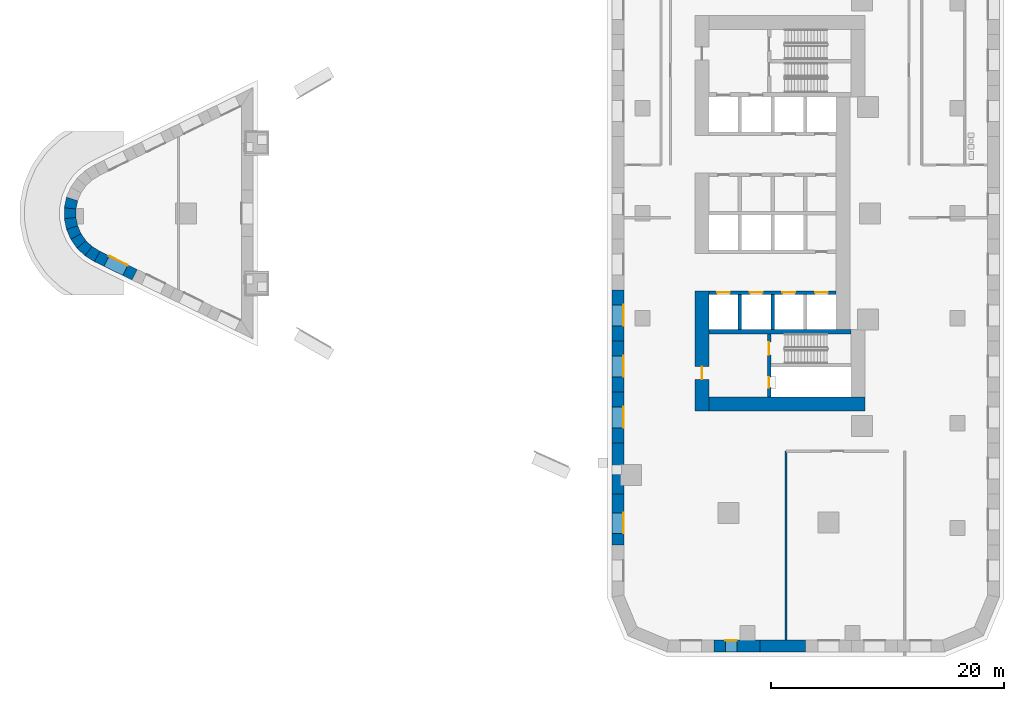
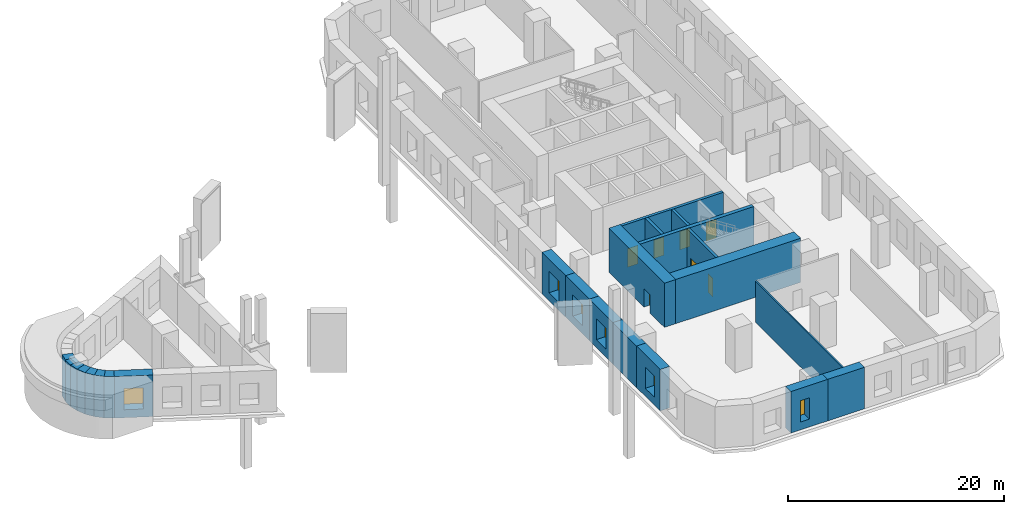
# One storey, part 2 of 11: 23 walls, 7 doors, 6 windows, 13 openings.
"""IFC4 building model written with IfcOpenShell, lengths in metres."""

from ifc_helpers import new_model, si_unit, direction, frame, frame_2d, origin, place, context, subcontext, project, spatial, polyline, rectangle, outline, extrude, material, layer, layer_set, type_object, element, fill, save


model = new_model("IFC4")

# Units and contexts
model_context = context("Model", 3, precision=1e-05, world=origin(), true_north=direction((0.0, 1.0)))
body_context = subcontext(model_context, "Body", "Model", "MODEL_VIEW")
ifc_project = project(units=[si_unit("LENGTHUNIT", "METRE"), si_unit("AREAUNIT", "SQUARE_METRE"), si_unit("VOLUMEUNIT", "CUBIC_METRE"), si_unit("PLANEANGLEUNIT", "RADIAN"), si_unit("MASSUNIT", "GRAM", prefix="KILO")], contexts=[model_context])

# Site, building, storey
site_placement = place(None, origin())
site = spatial("IfcSite", under=ifc_project, at=site_placement, CompositionType="ELEMENT")
building_placement = place(site_placement, origin())
building = spatial("IfcBuilding", under=site, at=building_placement, Name="Ostrand Prow Hotel Tower", CompositionType="ELEMENT")
storey_placement = place(building_placement, frame((0.0, 0.0, 19.0)))
storey = spatial("IfcBuildingStorey", under=building, at=storey_placement, Name="L03", CompositionType="ELEMENT", Elevation=19.0)

# Wall, opening, door
ifc_material_1 = material(Name="Concrete C80/95", Category="concrete")
ifc_layer_1 = layer(ifc_material_1, 1.199951171875)
ifc_layer_set_1 = layer_set([ifc_layer_1], Name="Concrete C80/95")
wall_type_1 = type_object("IfcWallType", Name="Core wall 1200 C80/95", PredefinedType="SHEAR", material=ifc_layer_set_1)
wall_1_placement = place(storey_placement, frame((50.10009765625, -16.949951171875, 0.0), z_axis=(0.0, 0.0, 1.0), x_axis=(0.0, 1.0, 0.0)))
wall_1 = element("IfcWall", 1, at=wall_1_placement, inside=storey, type_object=wall_type_1, Name="Core wall CW-W-S", PredefinedType="SHEAR", context=body_context, shape_type="SweptSolid", body=[
    extrude(rectangle(XDim=10.300048828125, YDim=1.199951171875, at=frame_2d((5.14990234375, 0.0))), origin(), (0.0, 0.0, 1.0), 5.0),
])
opening_1_placement = place(wall_1_placement, frame((2.699951171875, 0.0, 0.0)))
opening_1 = element("IfcOpeningElement", 2, at=opening_1_placement, cuts=wall_1, Name="Opening FD1", PredefinedType="OPENING", context=body_context, shape_type="SweptSolid", body=[
    extrude(rectangle(XDim=1.10009765625, YDim=2.10009765625, at=frame_2d((0.550048828125, 1.050048828125))), frame((0.0, 0.60986328125, 0.0), z_axis=(0.0, -1.0, 0.0), x_axis=(1.0, 0.0, 0.0)), (0.0, 0.0, 1.0), 1.219970703125),
])
ifc_material_2 = material(Name="Steel fire door", Category="steel")
door_type_1 = type_object("IfcDoorType", Name="Fire door 1100 EI120", OperationType="SINGLE_SWING_RIGHT", PredefinedType="DOOR", material=ifc_material_2)
door_1_placement = place(opening_1_placement, origin())
door_1 = element("IfcDoor", 3, at=door_1_placement, inside=storey, type_object=door_type_1, Name="FIRE DOOR", OperationType="SINGLE_SWING_RIGHT", OverallHeight=2.10009765625, OverallWidth=1.10009765625, PredefinedType="DOOR", context=body_context, shape_type="SweptSolid", body=[
    extrude(rectangle(XDim=1.10009765625, YDim=2.10009765625, at=frame_2d((0.550048828125, 1.050048828125))), frame((0.0, 0.02490234375, 0.0), z_axis=(0.0, -1.0, 0.0), x_axis=(1.0, 0.0, 0.0)), (0.0, 0.0, 1.0), 0.050048828125),
])
fill(opening_1, door_1)

# Wall
wall_2_placement = place(storey_placement, frame((50.699951171875, -16.35009765625, 0.0), z_axis=(0.0, 0.0, 1.0), x_axis=(1.0, 0.0, 0.0)))
element("IfcWall", 4, at=wall_2_placement, inside=storey, type_object=wall_type_1, Name="Core wall CW-S", PredefinedType="SHEAR", context=body_context, shape_type="SweptSolid", body=[
    extrude(rectangle(XDim=13.380126953125, YDim=1.199951171875, at=frame_2d((6.68994140625, 0.0))), origin(), (0.0, 0.0, 1.0), 5.0),
])

# Wall, openings, doors
ifc_material_3 = material(Name="Concrete C80/95", Category="concrete")
ifc_layer_2 = layer(ifc_material_3, 0.300048828125)
ifc_layer_set_2 = layer_set([ifc_layer_2], Name="Concrete C80/95")
wall_type_2 = type_object("IfcWallType", Name="Core wall 300 C80/95", PredefinedType="SHEAR", material=ifc_layer_set_2)
wall_3_placement = place(storey_placement, frame((50.699951171875, -6.800048828125, 0.0), z_axis=(0.0, 0.0, 1.0), x_axis=(1.0, 0.0, 0.0)))
wall_3 = element("IfcWall", 5, at=wall_3_placement, inside=storey, type_object=wall_type_2, Name="Core wall PW-L2-S", PredefinedType="SHEAR", context=body_context, shape_type="SweptSolid", body=[
    extrude(rectangle(XDim=10.900146484375, YDim=0.300048828125, at=frame_2d((5.4501953125, 0.0))), origin(), (0.0, 0.0, 1.0), 5.0),
])
opening_2_placement = place(wall_3_placement, frame((0.699951171875, 0.0, 0.0)))
opening_2 = element("IfcOpeningElement", 6, at=opening_2_placement, cuts=wall_3, Name="Opening LD", PredefinedType="OPENING", context=body_context, shape_type="SweptSolid", body=[
    extrude(rectangle(XDim=1.10009765625, YDim=2.10009765625, at=frame_2d((0.550048828125, 1.050048828125))), frame((0.0, 0.159912109375, 0.0), z_axis=(0.0, -1.0, 0.0), x_axis=(1.0, 0.0, 0.0)), (0.0, 0.0, 1.0), 0.320068359375),
])
opening_3_placement = place(wall_3_placement, frame((3.5, 0.0, 0.0)))
opening_3 = element("IfcOpeningElement", 7, at=opening_3_placement, cuts=wall_3, Name="Opening LD", PredefinedType="OPENING", context=body_context, shape_type="SweptSolid", body=[
    extrude(rectangle(XDim=1.10009765625, YDim=2.10009765625, at=frame_2d((0.550048828125, 1.050048828125))), frame((0.0, 0.159912109375, 0.0), z_axis=(0.0, -1.0, 0.0), x_axis=(1.0, 0.0, 0.0)), (0.0, 0.0, 1.0), 0.320068359375),
])
opening_4_placement = place(wall_3_placement, frame((6.300048828125, 0.0, 0.0)))
opening_4 = element("IfcOpeningElement", 8, at=opening_4_placement, cuts=wall_3, Name="Opening LD", PredefinedType="OPENING", context=body_context, shape_type="SweptSolid", body=[
    extrude(rectangle(XDim=1.10009765625, YDim=2.10009765625, at=frame_2d((0.550048828125, 1.050048828125))), frame((0.0, 0.159912109375, 0.0), z_axis=(0.0, -1.0, 0.0), x_axis=(1.0, 0.0, 0.0)), (0.0, 0.0, 1.0), 0.320068359375),
])
opening_5_placement = place(wall_3_placement, frame((9.10009765625, 0.0, 0.0)))
opening_5 = element("IfcOpeningElement", 9, at=opening_5_placement, cuts=wall_3, Name="Opening LD", PredefinedType="OPENING", context=body_context, shape_type="SweptSolid", body=[
    extrude(rectangle(XDim=1.10009765625, YDim=2.10009765625, at=frame_2d((0.550048828125, 1.050048828125))), frame((0.0, 0.159912109375, 0.0), z_axis=(0.0, -1.0, 0.0), x_axis=(1.0, 0.0, 0.0)), (0.0, 0.0, 1.0), 0.320068359375),
])
ifc_material_4 = material(Name="Stainless steel door", Category="steel")
door_type_2 = type_object("IfcDoorType", Name="Lift landing door 1100", OperationType="DOUBLE_DOOR_SLIDING", PredefinedType="DOOR", material=ifc_material_4)
door_2_placement = place(opening_2_placement, origin())
door_2 = element("IfcDoor", 10, at=door_2_placement, inside=storey, type_object=door_type_2, Name="LIFT LANDING DOOR", OperationType="DOUBLE_DOOR_SLIDING", OverallHeight=2.10009765625, OverallWidth=1.10009765625, PredefinedType="DOOR", context=body_context, shape_type="SweptSolid", body=[
    extrude(rectangle(XDim=1.10009765625, YDim=2.10009765625, at=frame_2d((0.550048828125, 1.050048828125))), frame((0.0, 0.02490234375, 0.0), z_axis=(0.0, -1.0, 0.0), x_axis=(1.0, 0.0, 0.0)), (0.0, 0.0, 1.0), 0.050048828125),
])
fill(opening_2, door_2)
door_3_placement = place(opening_3_placement, origin())
door_3 = element("IfcDoor", 11, at=door_3_placement, inside=storey, type_object=door_type_2, Name="LIFT LANDING DOOR", OperationType="DOUBLE_DOOR_SLIDING", OverallHeight=2.10009765625, OverallWidth=1.10009765625, PredefinedType="DOOR", context=body_context, shape_type="SweptSolid", body=[
    extrude(rectangle(XDim=1.10009765625, YDim=2.10009765625, at=frame_2d((0.550048828125, 1.050048828125))), frame((0.0, 0.02490234375, 0.0), z_axis=(0.0, -1.0, 0.0), x_axis=(1.0, 0.0, 0.0)), (0.0, 0.0, 1.0), 0.050048828125),
])
fill(opening_3, door_3)
door_4_placement = place(opening_4_placement, origin())
door_4 = element("IfcDoor", 12, at=door_4_placement, inside=storey, type_object=door_type_2, Name="LIFT LANDING DOOR", OperationType="DOUBLE_DOOR_SLIDING", OverallHeight=2.10009765625, OverallWidth=1.10009765625, PredefinedType="DOOR", context=body_context, shape_type="SweptSolid", body=[
    extrude(rectangle(XDim=1.10009765625, YDim=2.10009765625, at=frame_2d((0.550048828125, 1.050048828125))), frame((0.0, 0.02490234375, 0.0), z_axis=(0.0, -1.0, 0.0), x_axis=(1.0, 0.0, 0.0)), (0.0, 0.0, 1.0), 0.050048828125),
])
fill(opening_4, door_4)
door_5_placement = place(opening_5_placement, origin())
door_5 = element("IfcDoor", 13, at=door_5_placement, inside=storey, type_object=door_type_2, Name="LIFT LANDING DOOR", OperationType="DOUBLE_DOOR_SLIDING", OverallHeight=2.10009765625, OverallWidth=1.10009765625, PredefinedType="DOOR", context=body_context, shape_type="SweptSolid", body=[
    extrude(rectangle(XDim=1.10009765625, YDim=2.10009765625, at=frame_2d((0.550048828125, 1.050048828125))), frame((0.0, 0.02490234375, 0.0), z_axis=(0.0, -1.0, 0.0), x_axis=(1.0, 0.0, 0.0)), (0.0, 0.0, 1.0), 0.050048828125),
])
fill(opening_5, door_5)

# Walls
for number, where, z_axis, x_axis, name in (
    (14, (53.35009765625, -9.949951171875, 0.0), (0.0, 0.0, 1.0), (0.0, 1.0, 0.0), "Core wall PW-R1-SA"),
    (15, (56.14990234375, -9.949951171875, 0.0), (0.0, 0.0, 1.0), (0.0, 1.0, 0.0), "Core wall PW-R2-SA"),
):
    element("IfcWall", number, at=place(storey_placement, frame(where, z_axis=z_axis, x_axis=x_axis)), inside=storey, type_object=wall_type_2, Name=name, PredefinedType="SHEAR", context=body_context, shape_type="SweptSolid", body=[
        extrude(rectangle(XDim=3.0, YDim=0.300048828125, at=frame_2d((1.5, 0.0))), origin(), (0.0, 0.0, 1.0), 5.0),
    ])

# Wall, openings, doors
wall_4_placement = place(storey_placement, frame((55.85009765625, -15.75, 0.0), z_axis=(0.0, 0.0, 1.0), x_axis=(0.0, 1.0, 0.0)))
wall_4 = element("IfcWall", 16, at=wall_4_placement, inside=storey, type_object=wall_type_2, Name="Core wall PW-VS", PredefinedType="SHEAR", context=body_context, shape_type="SweptSolid", body=[
    extrude(rectangle(XDim=5.39990234375, YDim=0.300048828125, at=frame_2d((2.699951171875, 0.0))), origin(), (0.0, 0.0, 1.0), 5.0),
])
opening_6_placement = place(wall_4_placement, frame((3.60009765625, 0.0, 0.0)))
opening_6 = element("IfcOpeningElement", 17, at=opening_6_placement, cuts=wall_4, Name="Opening FD1", PredefinedType="OPENING", context=body_context, shape_type="SweptSolid", body=[
    extrude(rectangle(XDim=1.10009765625, YDim=2.10009765625, at=frame_2d((0.550048828125, 1.050048828125))), frame((0.0, 0.159912109375, 0.0), z_axis=(0.0, -1.0, 0.0), x_axis=(1.0, 0.0, 0.0)), (0.0, 0.0, 1.0), 0.320068359375),
])
opening_7_placement = place(wall_4_placement, frame((0.800048828125, 0.0, 0.0)))
opening_7 = element("IfcOpeningElement", 18, at=opening_7_placement, cuts=wall_4, Name="Opening FD2", PredefinedType="OPENING", context=body_context, shape_type="SweptSolid", body=[
    extrude(rectangle(XDim=0.89990234375, YDim=2.10009765625, at=frame_2d((0.449951171875, 1.050048828125))), frame((0.0, 0.159912109375, 0.0), z_axis=(0.0, -1.0, 0.0), x_axis=(1.0, 0.0, 0.0)), (0.0, 0.0, 1.0), 0.320068359375),
])
door_6_placement = place(opening_6_placement, origin())
door_6 = element("IfcDoor", 19, at=door_6_placement, inside=storey, type_object=door_type_1, Name="FIRE DOOR", OperationType="SINGLE_SWING_RIGHT", OverallHeight=2.10009765625, OverallWidth=1.10009765625, PredefinedType="DOOR", context=body_context, shape_type="SweptSolid", body=[
    extrude(rectangle(XDim=1.10009765625, YDim=2.10009765625, at=frame_2d((0.550048828125, 1.050048828125))), frame((0.0, 0.02490234375, 0.0), z_axis=(0.0, -1.0, 0.0), x_axis=(1.0, 0.0, 0.0)), (0.0, 0.0, 1.0), 0.050048828125),
])
fill(opening_6, door_6)
ifc_material_5 = material(Name="Steel fire door", Category="steel")
door_type_3 = type_object("IfcDoorType", Name="Fire door 900 EI120", OperationType="SINGLE_SWING_LEFT", PredefinedType="DOOR", material=ifc_material_5)
door_7_placement = place(opening_7_placement, origin())
door_7 = element("IfcDoor", 20, at=door_7_placement, inside=storey, type_object=door_type_3, Name="FIRE DOOR", OperationType="SINGLE_SWING_LEFT", OverallHeight=2.10009765625, OverallWidth=0.89990234375, PredefinedType="DOOR", context=body_context, shape_type="SweptSolid", body=[
    extrude(rectangle(XDim=0.89990234375, YDim=2.10009765625, at=frame_2d((0.449951171875, 1.050048828125))), frame((0.0, 0.02490234375, 0.0), z_axis=(0.0, -1.0, 0.0), x_axis=(1.0, 0.0, 0.0)), (0.0, 0.0, 1.0), 0.050048828125),
])
fill(opening_7, door_7)

# Walls
ifc_material_6 = material(Name="Concrete C80/95", Category="concrete")
ifc_layer_3 = layer(ifc_material_6, 0.39990234375)
ifc_layer_set_3 = layer_set([ifc_layer_3], Name="Concrete C80/95")
wall_type_3 = type_object("IfcWallType", Name="Core wall 400 C80/95", PredefinedType="SHEAR", material=ifc_layer_set_3)
wall_5_placement = place(storey_placement, frame((50.699951171875, -10.14990234375, 0.0), z_axis=(0.0, 0.0, 1.0), x_axis=(1.0, 0.0, 0.0)))
element("IfcWall", 21, at=wall_5_placement, inside=storey, type_object=wall_type_3, Name="Core wall PW-BS", PredefinedType="SHEAR", context=body_context, shape_type="SweptSolid", body=[
    extrude(rectangle(XDim=12.179931640625, YDim=0.39990234375, at=frame_2d((6.08984375, 0.0))), origin(), (0.0, 0.0, 1.0), 5.0),
])
ifc_material_7 = material(Name="Plasterboard partition")
ifc_layer_4 = layer(ifc_material_7, 0.14990234375)
ifc_layer_set_4 = layer_set([ifc_layer_4], Name="Plasterboard partition")
wall_type_4 = type_object("IfcWallType", Name="Partition 150 room partition", PredefinedType="PARTITIONING", material=ifc_layer_set_4)
wall_6_placement = place(storey_placement, frame((57.300048828125, -36.570068359375, 0.0), z_axis=(0.0, 0.0, 1.0), x_axis=(0.0, 1.0, 0.0)))
element("IfcWall", 22, at=wall_6_placement, inside=storey, type_object=wall_type_4, Name="ROOM PARTITION", PredefinedType="PARTITIONING", context=body_context, shape_type="SweptSolid", body=[
    extrude(rectangle(XDim=16.170166015625, YDim=0.14990234375, at=frame_2d((8.0849609375, 0.0))), origin(), (0.0, 0.0, 1.0), 4.64990234375),
])
ifc_material_8 = material(Name="Precast concrete C40/50", Category="concrete")
ifc_layer_5 = layer(ifc_material_8, 1.0)
ifc_layer_set_5 = layer_set([ifc_layer_5], Name="Precast concrete C40/50")
wall_type_5 = type_object("IfcWallType", Name="Portal pier wall 1000 mm", PredefinedType="NOTDEFINED", material=ifc_layer_set_5)
wall_7_placement = place(storey_placement, frame((-3.90673828125, 1.228515625, 0.0), z_axis=(0.0, 0.0, 1.0), x_axis=(-0.201710996138, -0.979445084748, 0.0)))
element("IfcWall", 23, at=wall_7_placement, inside=storey, type_object=wall_type_5, Name="Portal pier wall L03-PP013", PredefinedType="NOTDEFINED", context=body_context, shape_type="SweptSolid", body=[
    extrude(outline(polyline([(-0.051025390625, -0.5), (0.88134765625, -0.5), (0.779296875, 0.5), (0.051025390625, 0.5), (-0.051025390625, -0.5)])), origin(), (0.0, 0.0, 1.0), 4.699951171875),
])
wall_8_placement = place(storey_placement, frame((-4.07421875, 0.415283203125, 0.0), z_axis=(0.0, 0.0, 1.0), x_axis=(0.0, -1.0, 0.0)))
element("IfcWall", 24, at=wall_8_placement, inside=storey, type_object=wall_type_5, Name="Portal pier wall L03-PP014", PredefinedType="NOTDEFINED", context=body_context, shape_type="SweptSolid", body=[
    extrude(outline(polyline([(-0.051025390625, -0.5), (0.881591796875, -0.5), (0.779541015625, 0.5), (0.051025390625, 0.5), (-0.051025390625, -0.5)])), origin(), (0.0, 0.0, 1.0), 4.699951171875),
])
wall_9_placement = place(storey_placement, frame((-4.07421875, -0.415283203125, 0.0), z_axis=(0.0, 0.0, 1.0), x_axis=(0.201710996138, -0.979445084748, 0.0)))
element("IfcWall", 25, at=wall_9_placement, inside=storey, type_object=wall_type_5, Name="Portal pier wall L03-PP015", PredefinedType="NOTDEFINED", context=body_context, shape_type="SweptSolid", body=[
    extrude(outline(polyline([(-0.051025390625, -0.5), (0.88134765625, -0.5), (0.779296875, 0.5), (0.051025390625, 0.5), (-0.051025390625, -0.5)])), origin(), (0.0, 0.0, 1.0), 4.699951171875),
])
wall_10_placement = place(storey_placement, frame((-3.90673828125, -1.228515625, 0.0), z_axis=(0.0, 0.0, 1.0), x_axis=(0.395089773053, -0.91864251547, 0.0)))
element("IfcWall", 26, at=wall_10_placement, inside=storey, type_object=wall_type_5, Name="Portal pier wall L03-PP016", PredefinedType="NOTDEFINED", context=body_context, shape_type="SweptSolid", body=[
    extrude(outline(polyline([(-0.051025390625, -0.5), (0.881591796875, -0.5), (0.779541015625, 0.5), (0.051025390625, 0.5), (-0.051025390625, -0.5)])), origin(), (0.0, 0.0, 1.0), 4.699951171875),
])
wall_11_placement = place(storey_placement, frame((-3.57861328125, -1.991455078125, 0.0), z_axis=(0.0, 0.0, 1.0), x_axis=(0.572416108775, -0.819963290895, 0.0)))
element("IfcWall", 27, at=wall_11_placement, inside=storey, type_object=wall_type_5, Name="Portal pier wall L03-PP017", PredefinedType="NOTDEFINED", context=body_context, shape_type="SweptSolid", body=[
    extrude(outline(polyline([(-0.051025390625, -0.5), (0.88134765625, -0.5), (0.779296875, 0.5), (0.051025390625, 0.5), (-0.051025390625, -0.5)])), origin(), (0.0, 0.0, 1.0), 4.699951171875),
])
wall_12_placement = place(storey_placement, frame((-3.103271484375, -2.67236328125, 0.0), z_axis=(0.0, 0.0, 1.0), x_axis=(0.726099436492, -0.687589709293, 0.0)))
element("IfcWall", 28, at=wall_12_placement, inside=storey, type_object=wall_type_5, Name="Portal pier wall L03-PP018", PredefinedType="NOTDEFINED", context=body_context, shape_type="SweptSolid", body=[
    extrude(outline(polyline([(-0.051025390625, -0.5), (0.881591796875, -0.5), (0.779541015625, 0.5), (0.051025390625, 0.5), (-0.051025390625, -0.5)])), origin(), (0.0, 0.0, 1.0), 4.699951171875),
])
wall_13_placement = place(storey_placement, frame((-2.500244140625, -3.243408203125, 0.0), z_axis=(0.0, 0.0, 1.0), x_axis=(0.849777890555, -0.527140907846, 0.0)))
element("IfcWall", 29, at=wall_13_placement, inside=storey, type_object=wall_type_5, Name="Portal pier wall L03-PP019", PredefinedType="NOTDEFINED", context=body_context, shape_type="SweptSolid", body=[
    extrude(outline(polyline([(-0.051025390625, -0.5), (0.901611328125, -0.5), (0.850830078125, 0.5), (0.051025390625, 0.5), (-0.051025390625, -0.5)])), origin(), (0.0, 0.0, 1.0), 4.699951171875),
])

# Wall, opening, window
wall_14_placement = place(storey_placement, frame((-1.755615234375, -3.705322265625, 0.0), z_axis=(0.0, 0.0, 1.0), x_axis=(0.898874723623, -0.438205695117, 0.0)))
wall_14 = element("IfcWall", 30, at=wall_14_placement, inside=storey, type_object=wall_type_5, Name="Portal pier wall L03-PP020", PredefinedType="NOTDEFINED", context=body_context, shape_type="SweptSolid", body=[
    extrude(outline(polyline([(-0.025390625, -0.5), (3.57568359375, -0.5), (3.57568359375, 0.5), (0.025390625, 0.5), (-0.025390625, -0.5)])), origin(), (0.0, 0.0, 1.0), 4.699951171875),
])
opening_8_placement = place(wall_14_placement, frame((0.8876953125, 0.0, 0.89990234375)))
opening_8 = element("IfcOpeningElement", 31, at=opening_8_placement, cuts=wall_14, Name="Opening WP2", PredefinedType="OPENING", context=body_context, shape_type="SweptSolid", body=[
    extrude(rectangle(XDim=1.800048828125, YDim=2.39990234375, at=frame_2d((0.89990234375, 1.199951171875))), frame((0.0, 0.510009765625, 0.0), z_axis=(0.0, -1.0, 0.0), x_axis=(1.0, 0.0, 0.0)), (0.0, 0.0, 1.0), 1.02001953125),
])
ifc_material_9 = material(Name="Insulated glass in bronze anodised frame", Category="glass")
window_type = type_object("IfcWindowType", Name="Portal window 1800x2400", PartitioningType="SINGLE_PANEL", PredefinedType="WINDOW", material=ifc_material_9)
window_1_placement = place(opening_8_placement, origin())
window_1 = element("IfcWindow", 32, at=window_1_placement, inside=storey, type_object=window_type, Name="Portal window L03-PP020", OverallHeight=2.39990234375, OverallWidth=1.800048828125, PartitioningType="SINGLE_PANEL", PredefinedType="WINDOW", context=body_context, shape_type="SweptSolid", body=[
    extrude(rectangle(XDim=1.800048828125, YDim=2.39990234375, at=frame_2d((0.89990234375, 1.199951171875))), frame((0.0, 0.5, 0.0), z_axis=(0.0, -1.0, 0.0), x_axis=(1.0, 0.0, 0.0)), (0.0, 0.0, 1.0), 0.06005859375),
])
fill(opening_8, window_1)

wall_15_placement = place(storey_placement, frame((51.119384765625, -37.10009765625, 0.0), z_axis=(0.0, 0.0, 1.0), x_axis=(1.0, 0.0, 0.0)))
wall_15 = element("IfcWall", 33, at=wall_15_placement, inside=storey, type_object=wall_type_5, Name="Portal pier wall L03-PP101", PredefinedType="NOTDEFINED", context=body_context, shape_type="SweptSolid", body=[
    extrude(outline(polyline([(0.0, -0.5), (3.9404296875, -0.5), (3.9404296875, 0.5), (0.0, 0.5), (0.0, -0.5)])), origin(), (0.0, 0.0, 1.0), 4.699951171875),
])
opening_9_placement = place(wall_15_placement, frame((1.0, 0.0, 0.89990234375)))
opening_9 = element("IfcOpeningElement", 34, at=opening_9_placement, cuts=wall_15, Name="Opening WP2", PredefinedType="OPENING", context=body_context, shape_type="SweptSolid", body=[
    extrude(rectangle(XDim=0.980712890625, YDim=2.39990234375, at=frame_2d((0.490234375, 1.199951171875))), frame((0.0, 0.510009765625, 0.0), z_axis=(0.0, -1.0, 0.0), x_axis=(1.0, 0.0, 0.0)), (0.0, 0.0, 1.0), 1.02001953125),
])
window_2_placement = place(opening_9_placement, origin())
window_2 = element("IfcWindow", 35, at=window_2_placement, inside=storey, type_object=window_type, Name="Portal window L03-PP101", OverallHeight=2.39990234375, OverallWidth=0.980712890625, PartitioningType="SINGLE_PANEL", PredefinedType="WINDOW", context=body_context, shape_type="SweptSolid", body=[
    extrude(rectangle(XDim=0.980712890625, YDim=2.39990234375, at=frame_2d((0.490234375, 1.199951171875))), frame((0.0, 0.5, 0.0), z_axis=(0.0, -1.0, 0.0), x_axis=(1.0, 0.0, 0.0)), (0.0, 0.0, 1.0), 0.06005859375),
])
fill(opening_9, window_2)

# Wall
wall_16_placement = place(storey_placement, frame((55.059814453125, -37.10009765625, 0.0), z_axis=(0.0, 0.0, 1.0), x_axis=(1.0, 0.0, 0.0)))
element("IfcWall", 36, at=wall_16_placement, inside=storey, type_object=wall_type_5, Name="Portal pier wall L03-PP102", PredefinedType="NOTDEFINED", context=body_context, shape_type="SweptSolid", body=[
    extrude(outline(polyline([(0.0, -0.5), (3.940185546875, -0.5), (3.940185546875, 0.5), (0.0, 0.5), (0.0, -0.5)])), origin(), (0.0, 0.0, 1.0), 4.699951171875),
])

# Wall, opening, window
wall_17_placement = place(storey_placement, frame((42.89990234375, -6.564208984375, 0.0), z_axis=(0.0, 0.0, 1.0), x_axis=(0.0, -1.0, 0.0)))
wall_17 = element("IfcWall", 37, at=wall_17_placement, inside=storey, type_object=wall_type_5, Name="Portal pier wall L03-PP142", PredefinedType="NOTDEFINED", context=body_context, shape_type="SweptSolid", body=[
    extrude(outline(polyline([(0.0, -0.5), (4.3759765625, -0.5), (4.3759765625, 0.5), (0.0, 0.5), (0.0, -0.5)])), origin(), (0.0, 0.0, 1.0), 4.699951171875),
])
opening_10_placement = place(wall_17_placement, frame((1.2880859375, 0.0, 0.89990234375)))
opening_10 = element("IfcOpeningElement", 38, at=opening_10_placement, cuts=wall_17, Name="Opening WP2", PredefinedType="OPENING", context=body_context, shape_type="SweptSolid", body=[
    extrude(rectangle(XDim=1.800048828125, YDim=2.39990234375, at=frame_2d((0.89990234375, 1.199951171875))), frame((0.0, 0.510009765625, 0.0), z_axis=(0.0, -1.0, 0.0), x_axis=(1.0, 0.0, 0.0)), (0.0, 0.0, 1.0), 1.02001953125),
])
window_3_placement = place(opening_10_placement, origin())
window_3 = element("IfcWindow", 39, at=window_3_placement, inside=storey, type_object=window_type, Name="Portal window L03-PP142", OverallHeight=2.39990234375, OverallWidth=1.800048828125, PartitioningType="SINGLE_PANEL", PredefinedType="WINDOW", context=body_context, shape_type="SweptSolid", body=[
    extrude(rectangle(XDim=1.800048828125, YDim=2.39990234375, at=frame_2d((0.89990234375, 1.199951171875))), frame((0.0, 0.5, 0.0), z_axis=(0.0, -1.0, 0.0), x_axis=(1.0, 0.0, 0.0)), (0.0, 0.0, 1.0), 0.06005859375),
])
fill(opening_10, window_3)

wall_18_placement = place(storey_placement, frame((42.89990234375, -10.940185546875, 0.0), z_axis=(0.0, 0.0, 1.0), x_axis=(0.0, -1.0, 0.0)))
wall_18 = element("IfcWall", 40, at=wall_18_placement, inside=storey, type_object=wall_type_5, Name="Portal pier wall L03-PP143", PredefinedType="NOTDEFINED", context=body_context, shape_type="SweptSolid", body=[
    extrude(outline(polyline([(0.0, -0.5), (4.376220703125, -0.5), (4.376220703125, 0.5), (0.0, 0.5), (0.0, -0.5)])), origin(), (0.0, 0.0, 1.0), 4.699951171875),
])
opening_11_placement = place(wall_18_placement, frame((1.2880859375, 0.0, 0.89990234375)))
opening_11 = element("IfcOpeningElement", 41, at=opening_11_placement, cuts=wall_18, Name="Opening WP2", PredefinedType="OPENING", context=body_context, shape_type="SweptSolid", body=[
    extrude(rectangle(XDim=1.800048828125, YDim=2.39990234375, at=frame_2d((0.89990234375, 1.199951171875))), frame((0.0, 0.510009765625, 0.0), z_axis=(0.0, -1.0, 0.0), x_axis=(1.0, 0.0, 0.0)), (0.0, 0.0, 1.0), 1.02001953125),
])
window_4_placement = place(opening_11_placement, origin())
window_4 = element("IfcWindow", 42, at=window_4_placement, inside=storey, type_object=window_type, Name="Portal window L03-PP143", OverallHeight=2.39990234375, OverallWidth=1.800048828125, PartitioningType="SINGLE_PANEL", PredefinedType="WINDOW", context=body_context, shape_type="SweptSolid", body=[
    extrude(rectangle(XDim=1.800048828125, YDim=2.39990234375, at=frame_2d((0.89990234375, 1.199951171875))), frame((0.0, 0.5, 0.0), z_axis=(0.0, -1.0, 0.0), x_axis=(1.0, 0.0, 0.0)), (0.0, 0.0, 1.0), 0.06005859375),
])
fill(opening_11, window_4)

wall_19_placement = place(storey_placement, frame((42.89990234375, -15.31640625, 0.0), z_axis=(0.0, 0.0, 1.0), x_axis=(0.0, -1.0, 0.0)))
wall_19 = element("IfcWall", 43, at=wall_19_placement, inside=storey, type_object=wall_type_5, Name="Portal pier wall L03-PP144", PredefinedType="NOTDEFINED", context=body_context, shape_type="SweptSolid", body=[
    extrude(outline(polyline([(0.0, -0.5), (4.376220703125, -0.5), (4.376220703125, 0.5), (0.0, 0.5), (0.0, -0.5)])), origin(), (0.0, 0.0, 1.0), 4.699951171875),
])
opening_12_placement = place(wall_19_placement, frame((1.2880859375, 0.0, 0.89990234375)))
opening_12 = element("IfcOpeningElement", 44, at=opening_12_placement, cuts=wall_19, Name="Opening WP2", PredefinedType="OPENING", context=body_context, shape_type="SweptSolid", body=[
    extrude(rectangle(XDim=1.800048828125, YDim=2.39990234375, at=frame_2d((0.89990234375, 1.199951171875))), frame((0.0, 0.510009765625, 0.0), z_axis=(0.0, -1.0, 0.0), x_axis=(1.0, 0.0, 0.0)), (0.0, 0.0, 1.0), 1.02001953125),
])
window_5_placement = place(opening_12_placement, origin())
window_5 = element("IfcWindow", 45, at=window_5_placement, inside=storey, type_object=window_type, Name="Portal window L03-PP144", OverallHeight=2.39990234375, OverallWidth=1.800048828125, PartitioningType="SINGLE_PANEL", PredefinedType="WINDOW", context=body_context, shape_type="SweptSolid", body=[
    extrude(rectangle(XDim=1.800048828125, YDim=2.39990234375, at=frame_2d((0.89990234375, 1.199951171875))), frame((0.0, 0.5, 0.0), z_axis=(0.0, -1.0, 0.0), x_axis=(1.0, 0.0, 0.0)), (0.0, 0.0, 1.0), 0.06005859375),
])
fill(opening_12, window_5)

# Wall
wall_20_placement = place(storey_placement, frame((42.89990234375, -19.692626953125, 0.0), z_axis=(0.0, 0.0, 1.0), x_axis=(0.0, -1.0, 0.0)))
element("IfcWall", 46, at=wall_20_placement, inside=storey, type_object=wall_type_5, Name="Portal pier wall L03-PP145", PredefinedType="NOTDEFINED", context=body_context, shape_type="SweptSolid", body=[
    extrude(outline(polyline([(0.0, -0.5), (4.3759765625, -0.5), (4.3759765625, 0.5), (0.0, 0.5), (0.0, -0.5)])), origin(), (0.0, 0.0, 1.0), 4.699951171875),
])

# Wall, opening, window
wall_21_placement = place(storey_placement, frame((42.89990234375, -24.068603515625, 0.0), z_axis=(0.0, 0.0, 1.0), x_axis=(0.0, -1.0, 0.0)))
wall_21 = element("IfcWall", 47, at=wall_21_placement, inside=storey, type_object=wall_type_5, Name="Portal pier wall L03-PP146", PredefinedType="NOTDEFINED", context=body_context, shape_type="SweptSolid", body=[
    extrude(outline(polyline([(0.0, -0.5), (4.376220703125, -0.5), (4.376220703125, 0.5), (0.0, 0.5), (0.0, -0.5)])), origin(), (0.0, 0.0, 1.0), 4.699951171875),
])
opening_13_placement = place(wall_21_placement, frame((1.615478515625, 0.0, 0.89990234375)))
opening_13 = element("IfcOpeningElement", 48, at=opening_13_placement, cuts=wall_21, Name="Opening WP2", PredefinedType="OPENING", context=body_context, shape_type="SweptSolid", body=[
    extrude(rectangle(XDim=1.760498046875, YDim=2.39990234375, at=frame_2d((0.88037109375, 1.199951171875))), frame((0.0, 0.510009765625, 0.0), z_axis=(0.0, -1.0, 0.0), x_axis=(1.0, 0.0, 0.0)), (0.0, 0.0, 1.0), 1.02001953125),
])
window_6_placement = place(opening_13_placement, origin())
window_6 = element("IfcWindow", 49, at=window_6_placement, inside=storey, type_object=window_type, Name="Portal window L03-PP146", OverallHeight=2.39990234375, OverallWidth=1.760498046875, PartitioningType="SINGLE_PANEL", PredefinedType="WINDOW", context=body_context, shape_type="SweptSolid", body=[
    extrude(rectangle(XDim=1.760498046875, YDim=2.39990234375, at=frame_2d((0.88037109375, 1.199951171875))), frame((0.0, 0.5, 0.0), z_axis=(0.0, -1.0, 0.0), x_axis=(1.0, 0.0, 0.0)), (0.0, 0.0, 1.0), 0.06005859375),
])
fill(opening_13, window_6)

save(model, "model.ifc")
